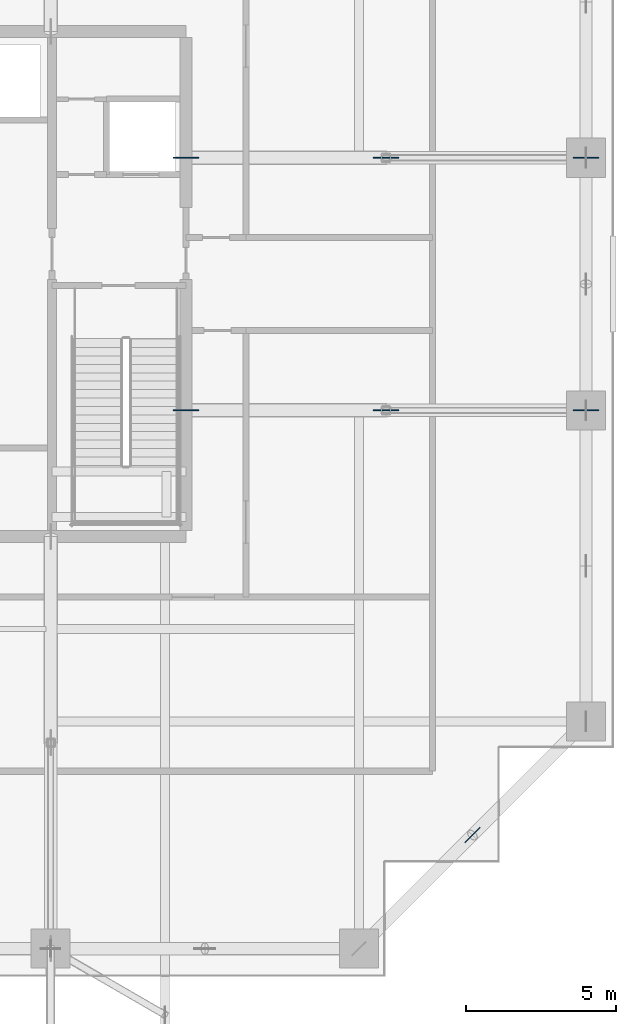
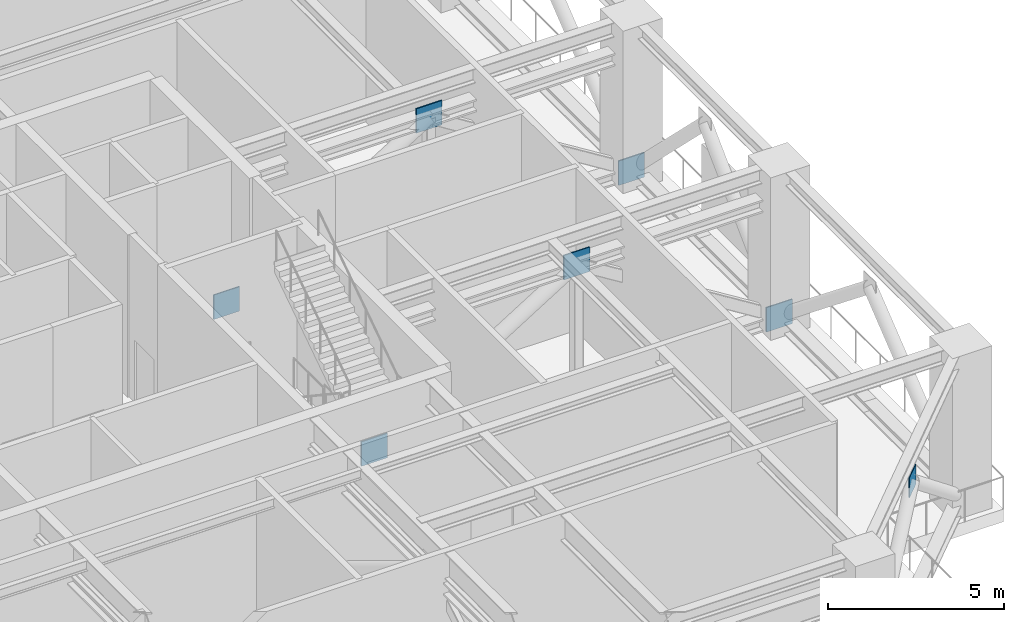
# One storey, part 9 of 22: 7 plates.
"""IFC4 building model written with IfcOpenShell, lengths in metres."""

from ifc_helpers import new_model, si_unit, direction, frame, origin, origin_2d, place, context, subcontext, project, spatial, rectangle, extrude, source, transform, mapped, material, layer, layer_set, type_object, element, save


model = new_model("IFC4")

# Units and contexts
model_context = context("Model", 3, precision=1e-05, world=origin(), true_north=direction((0.0, 1.0)))
body_context = subcontext(model_context, "Body", "Model", "MODEL_VIEW")
ifc_project = project(units=[si_unit("LENGTHUNIT", "METRE"), si_unit("AREAUNIT", "SQUARE_METRE"), si_unit("VOLUMEUNIT", "CUBIC_METRE"), si_unit("PLANEANGLEUNIT", "RADIAN"), si_unit("MASSUNIT", "GRAM", prefix="KILO")], contexts=[model_context])

# Site, building, storey
site_placement = place(None, origin())
site = spatial("IfcSite", under=ifc_project, at=site_placement, CompositionType="ELEMENT")
building_placement = place(site_placement, origin())
building = spatial("IfcBuilding", under=site, at=building_placement, Name="Serunith Strait Residences", CompositionType="ELEMENT")
storey_placement = place(building_placement, frame((0.0, 0.0, 198.89990234375)))
storey = spatial("IfcBuildingStorey", under=building, at=storey_placement, Name="L50", CompositionType="ELEMENT", Elevation=198.89990234375)

# Plates
ifc_material = material(Name="Steel S460M", Category="steel")
ifc_layer_1 = layer(ifc_material, 0.0400390625, Name="Steel S460M")
ifc_layer_set_1 = layer_set([ifc_layer_1], Name="Steel S460M")
plate_type_1 = type_object("IfcPlateType", Name="PLT-GUSSET-40", PredefinedType="USERDEFINED", material=ifc_layer_set_1)
shared_shape_1 = source(origin(), body_context, "Body", "SweptSolid", [
    extrude(rectangle(XDim=0.85009765625, YDim=0.0400390625, at=origin_2d()), origin(), (0.0, 0.0, 1.0), 0.85009765625),
])
for number, where, z_axis, x_axis, name in (
    (1, (41.39990234375, 21.0, -0.175048828125), (0.0, 0.0, 1.0), (1.0, 0.0, 0.0), "L50 Outrigger Gusset Plate ND-05"),
    (2, (48.050048828125, 21.0, 3.965087890625), (0.0, 0.0, 1.0), (1.0, 0.0, 0.0), "L50 Outrigger Gusset Plate ND-05"),
    (3, (54.699951171875, 21.0, -0.175048828125), (0.0, 0.0, 1.0), (1.0, 0.0, 0.0), "L50 Outrigger Gusset Plate ND-05"),
    (4, (41.39990234375, 29.39990234375, -0.175048828125), (0.0, 0.0, 1.0), (1.0, 0.0, 0.0), "L50 Outrigger Gusset Plate ND-05"),
    (5, (48.050048828125, 29.39990234375, 3.965087890625), (0.0, 0.0, 1.0), (1.0, 0.0, 0.0), "L50 Outrigger Gusset Plate ND-05"),
    (6, (54.699951171875, 29.39990234375, -0.175048828125), (0.0, 0.0, 1.0), (1.0, 0.0, 0.0), "L50 Outrigger Gusset Plate ND-05"),
):
    element("IfcPlate", number, at=place(storey_placement, frame(where, z_axis=z_axis, x_axis=x_axis)), inside=storey, type_object=plate_type_1, Name=name, ObjectType="GUSSET_PLATE", PredefinedType="USERDEFINED", context=body_context, shape_type="MappedRepresentation", body=[
        mapped(shared_shape_1, transform((0.0, 0.0, 0.0), scale=1.0)),
    ])
ifc_layer_2 = layer(ifc_material, 0.02490234375, Name="Steel S460M")
ifc_layer_set_2 = layer_set([ifc_layer_2], Name="Steel S460M")
plate_type_2 = type_object("IfcPlateType", Name="PLT-CAP-25", PredefinedType="SHEET", material=ifc_layer_set_2)
shared_shape_2 = source(origin(), body_context, "Body", "SweptSolid", [
    extrude(rectangle(XDim=0.699951171875, YDim=0.02490234375, at=origin_2d()), origin(), (0.0, 0.0, 1.0), 0.699951171875),
])
plate_placement = place(storey_placement, frame((50.925048828125, 6.875, 4.0400390625), z_axis=(0.0, 0.0, 1.0), x_axis=(0.707106781187, 0.707106781187, 0.0)))
element("IfcPlate", 7, at=plate_placement, inside=storey, type_object=plate_type_2, Name="L50 Belt Truss Apex Gusset 04", PredefinedType="SHEET", context=body_context, shape_type="MappedRepresentation", body=[
    mapped(shared_shape_2, transform((0.0, 0.0, 0.0), scale=1.0)),
])

save(model, "model.ifc")
